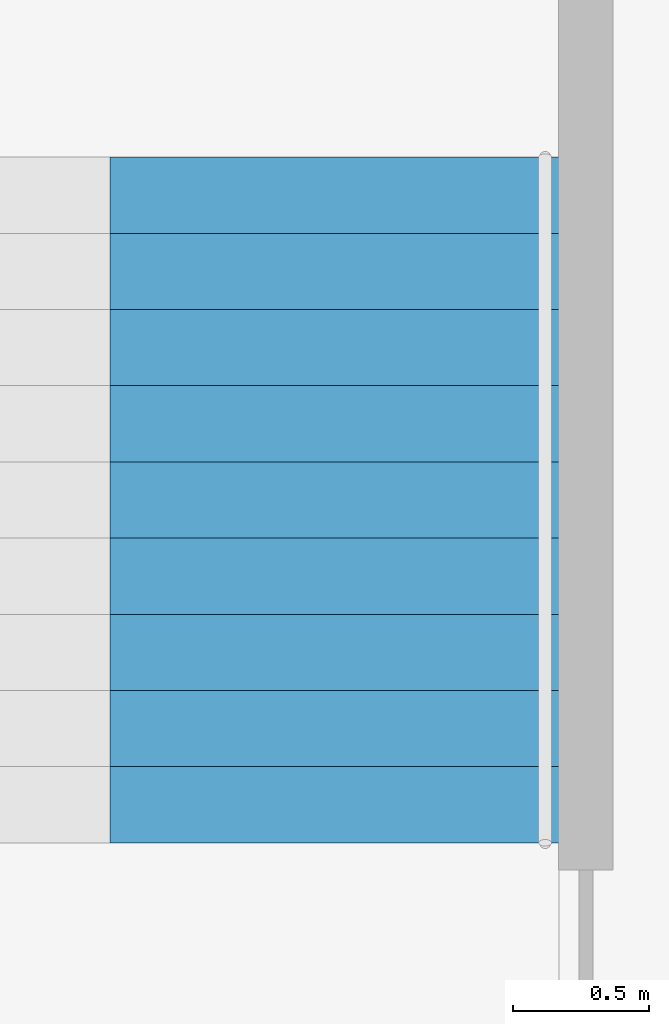
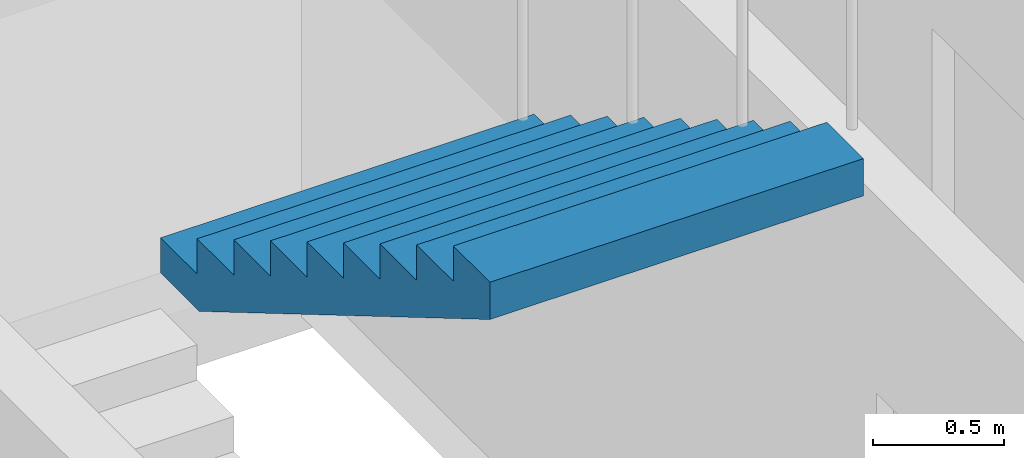
# One storey, part 9 of 12: 1 stair flight, 1 element without a shape of its own.
"""IFC4 building model written with IfcOpenShell, lengths in metres."""

from ifc_helpers import new_model, si_unit, direction, frame, origin, place, context, subcontext, project, spatial, polyline, outline, extrude, material, type_object, element, aggregate, save


model = new_model("IFC4")

# Units and contexts
model_context = context("Model", 3, precision=1e-05, world=origin(), true_north=direction((0.0, 1.0)))
body_context = subcontext(model_context, "Body", "Model", "MODEL_VIEW")
ifc_project = project(units=[si_unit("LENGTHUNIT", "METRE"), si_unit("AREAUNIT", "SQUARE_METRE"), si_unit("VOLUMEUNIT", "CUBIC_METRE"), si_unit("PLANEANGLEUNIT", "RADIAN"), si_unit("MASSUNIT", "GRAM", prefix="KILO")], contexts=[model_context])

# Site, building, storey
site_placement = place(None, origin())
site = spatial("IfcSite", under=ifc_project, at=site_placement, CompositionType="ELEMENT")
building_placement = place(site_placement, origin())
building = spatial("IfcBuilding", under=site, at=building_placement, Name="Taillehof Tower", CompositionType="ELEMENT")
storey_placement = place(building_placement, frame((0.0, 0.0, 249.800048828125)))
storey = spatial("IfcBuildingStorey", under=building, at=storey_placement, Name="L71", CompositionType="ELEMENT", Elevation=249.800048828125)

# Stair, stair flight
ifc_material_1 = material(Name="Concrete C40/50", Category="concrete")
stair_type = type_object("IfcStairType", Name="Exit stair half-turn", PredefinedType="HALF_TURN_STAIR", material=ifc_material_1)
stair_placement = place(storey_placement, origin())
stair = element("IfcStair", 1, at=stair_placement, inside=storey, type_object=stair_type, Name="Exit stair S3", PredefinedType="HALF_TURN_STAIR")
ifc_material_2 = material(Name="Concrete C40/50", Category="concrete")
stair_flight_type = type_object("IfcStairFlightType", Name="Stair flight 1650 riser 165.0 going 280", PredefinedType="STRAIGHT", material=ifc_material_2)
stair_flight_placement = place(storey_placement, frame((-11.77490234375, 11.969970703125, 1.64990234375), z_axis=(0.0, 0.0, 1.0), x_axis=(0.0, -1.0, 0.0)))
stair_flight = element("IfcStairFlight", 2, at=stair_flight_placement, type_object=stair_flight_type, Name="S3 flight 2", NumberOfRisers=10, NumberOfTreads=9, PredefinedType="STRAIGHT", RiserHeight=0.165, TreadLength=0.28, context=body_context, shape_type="SweptSolid", body=[
    extrude(outline(polyline([(0.0, 0.0), (0.0, 0.00537109375), (0.0, 0.0107421875), (0.0, 0.015869140625), (0.0, 0.021240234375), (0.0, 0.026611328125), (0.0, 0.031982421875), (0.0, 0.037353515625), (0.0, 0.04248046875), (0.0, 0.0478515625), (0.0, 0.05322265625), (0.0, 0.05859375), (0.0, 0.06396484375), (0.0, 0.069091796875), (0.0, 0.074462890625), (0.0, 0.079833984375), (0.0, 0.085205078125), (0.0, 0.090576171875), (0.0, 0.095703125), (0.0, 0.10107421875), (0.0, 0.1064453125), (0.0, 0.11181640625), (0.0, 0.1171875), (0.0, 0.122314453125), (0.0, 0.127685546875), (0.0, 0.133056640625), (0.0, 0.138427734375), (0.0, 0.143798828125), (0.0, 0.14892578125), (0.0, 0.154296875), (0.0, 0.15966796875), (0.0, 0.1650390625), (0.280029296875, 0.1650390625), (0.280029296875, 0.330078125), (0.56005859375, 0.330078125), (0.56005859375, 0.4951171875), (0.840087890625, 0.4951171875), (0.840087890625, 0.659912109375), (1.1201171875, 0.659912109375), (1.1201171875, 0.824951171875), (1.39990234375, 0.824951171875), (1.39990234375, 0.989990234375), (1.679931640625, 0.989990234375), (1.679931640625, 1.155029296875), (1.9599609375, 1.155029296875), (1.9599609375, 1.320068359375), (2.239990234375, 1.320068359375), (2.239990234375, 1.485107421875), (2.52001953125, 1.485107421875), (2.52001953125, 1.4794921875), (2.52001953125, 1.473876953125), (2.52001953125, 1.46826171875), (2.52001953125, 1.462646484375), (2.52001953125, 1.45703125), (2.52001953125, 1.451416015625), (2.52001953125, 1.44580078125), (2.52001953125, 1.440185546875), (2.52001953125, 1.4345703125), (2.52001953125, 1.428955078125), (2.52001953125, 1.42333984375), (2.52001953125, 1.417724609375), (2.52001953125, 1.412109375), (2.52001953125, 1.406494140625), (2.52001953125, 1.40087890625), (2.52001953125, 1.395263671875), (2.52001953125, 1.3896484375), (2.52001953125, 1.384033203125), (2.52001953125, 1.37841796875), (2.52001953125, 1.372802734375), (2.52001953125, 1.3671875), (2.52001953125, 1.361572265625), (2.52001953125, 1.35595703125), (2.52001953125, 1.350341796875), (2.52001953125, 1.3447265625), (2.52001953125, 1.339111328125), (2.52001953125, 1.33349609375), (2.52001953125, 1.327880859375), (2.52001953125, 1.322265625), (2.52001953125, 1.316650390625), (2.52001953125, 1.31103515625), (0.295166015625, 0.0), (0.0, 0.0)])), frame((0.0, 0.824951171875, 0.0), z_axis=(0.0, -1.0, 0.0), x_axis=(1.0, 0.0, 0.0)), (0.0, 0.0, 1.0), 1.65),
])
aggregate(stair, [stair_flight])

save(model, "model.ifc")
